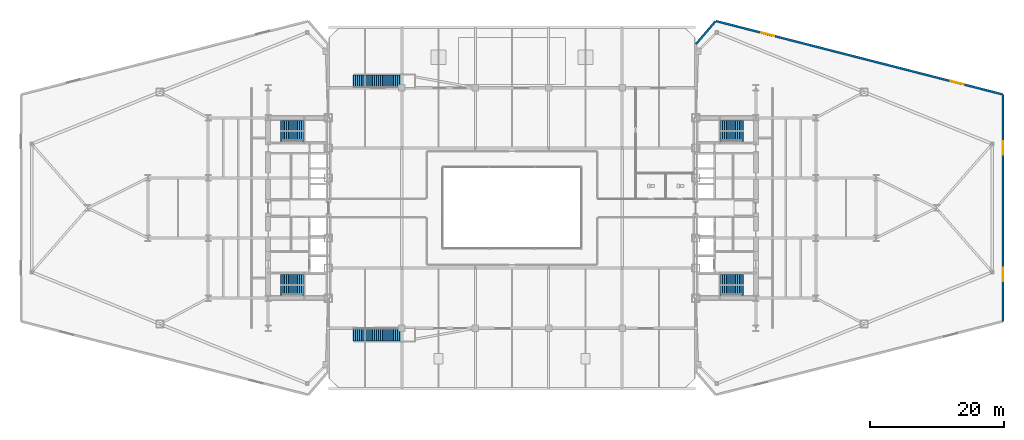
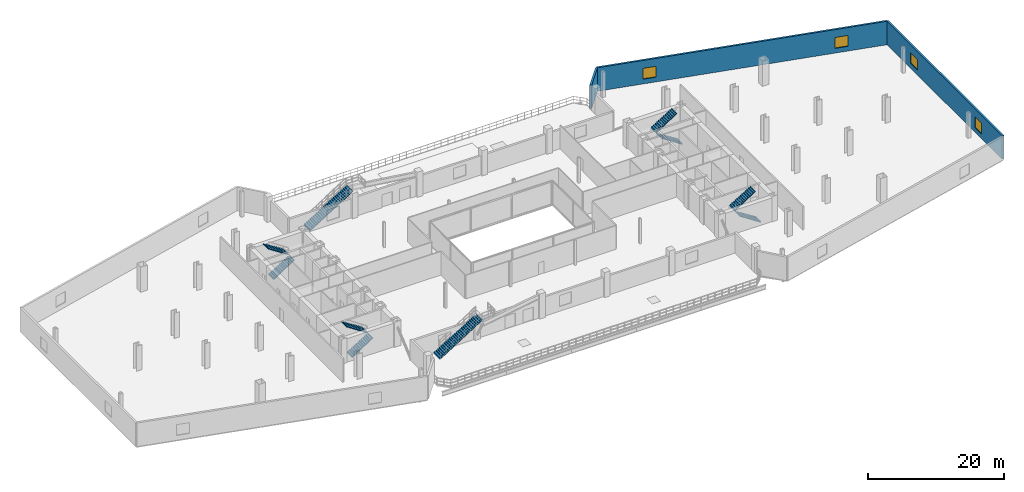
# One storey, part 22 of 27: 10 stair flights, 4 windows, 3 walls, 4 openings, 6 elements without a shape of their own.
"""IFC4 building model written with IfcOpenShell, lengths in metres."""

from ifc_helpers import new_model, si_unit, direction, frame, frame_2d, origin, place, context, subcontext, project, spatial, polyline, rectangle, outline, extrude, source, transform, mapped, material, layer, layer_set, type_object, type_shapes, element, fill, aggregate, save


model = new_model("IFC4")

# Units and contexts
model_context = context("Model", 3, precision=1e-05, world=origin(), true_north=direction((0.0, 1.0)))
body_context = subcontext(model_context, "Body", "Model", "MODEL_VIEW")
ifc_project = project(units=[si_unit("LENGTHUNIT", "METRE"), si_unit("AREAUNIT", "SQUARE_METRE"), si_unit("VOLUMEUNIT", "CUBIC_METRE"), si_unit("PLANEANGLEUNIT", "RADIAN"), si_unit("MASSUNIT", "GRAM", prefix="KILO")], contexts=[model_context])

# Site, building, storey
site_placement = place(None, origin())
site = spatial("IfcSite", under=ifc_project, at=site_placement, CompositionType="ELEMENT")
building_placement = place(site_placement, origin())
building = spatial("IfcBuilding", under=site, at=building_placement, Name="Seokmaru Belvedere", CompositionType="ELEMENT")
storey_placement = place(building_placement, frame((0.0, 0.0, 9.89990234375)))
storey = spatial("IfcBuildingStorey", under=building, at=storey_placement, Name="L02", CompositionType="ELEMENT", Elevation=9.89990234375)

# Wall, openings, windows
ifc_material_1 = material(Name="Concrete C40 (40 MPa)", Category="concrete")
ifc_layer = layer(ifc_material_1, 0.320068359375)
ifc_layer_set = layer_set([ifc_layer], Name="Concrete C40 (40 MPa)")
wall_type = type_object("IfcWallType", Name="Podium Terrace Insulated Wall 320", PredefinedType="SOLIDWALL", material=ifc_layer_set)
wall_1_placement = place(storey_placement, frame((73.5, -16.9599609375, 0.0), z_axis=(0.0, 0.0, 1.0), x_axis=(0.0, 1.0, 0.0)))
wall_1 = element("IfcWall", 1, at=wall_1_placement, inside=storey, type_object=wall_type, Name="L02 Exterior Podium Wall 08", PredefinedType="SOLIDWALL", context=body_context, shape_type="SweptSolid", body=[
    extrude(rectangle(XDim=33.919921875, YDim=0.320068359375, at=frame_2d((16.9599609375, 0.0))), origin(), (0.0, 0.0, 1.0), 4.22021484375),
])
opening_1_placement = place(wall_1_placement, frame((6.0, 0.0, 0.85009765625)))
opening_1 = element("IfcOpeningElement", 2, at=opening_1_placement, cuts=wall_1, Name="Opening WN7", PredefinedType="OPENING", context=body_context, shape_type="SweptSolid", body=[
    extrude(rectangle(XDim=2.0, YDim=1.949951171875, at=frame_2d((1.0, 0.97509765625))), frame((0.0, 0.169921875, 0.0), z_axis=(0.0, -1.0, 0.0), x_axis=(1.0, 0.0, 0.0)), (0.0, 0.0, 1.0), 0.340087890625),
])
opening_2_placement = place(wall_1_placement, frame((24.919921875, 0.0, 0.85009765625)))
opening_2 = element("IfcOpeningElement", 3, at=opening_2_placement, cuts=wall_1, Name="Opening WN7", PredefinedType="OPENING", context=body_context, shape_type="SweptSolid", body=[
    extrude(rectangle(XDim=2.0, YDim=1.949951171875, at=frame_2d((1.0, 0.97509765625))), frame((0.0, 0.169921875, 0.0), z_axis=(0.0, -1.0, 0.0), x_axis=(1.0, 0.0, 0.0)), (0.0, 0.0, 1.0), 0.340087890625),
])
ifc_material_2 = material(Name="Bronze Triple Insulating Glass", Category="glass")
window_type = type_object("IfcWindowType", Name="Podium Wing Corner Window 2000x1950", PartitioningType="SINGLE_PANEL", PredefinedType="WINDOW", material=ifc_material_2)
shared_shape = source(origin(), body_context, "Body", "SweptSolid", [
    extrude(rectangle(XDim=2.0, YDim=1.949951171875, at=frame_2d((1.0, 0.97509765625))), frame((0.0, 0.030029296875, 0.0), z_axis=(0.0, -1.0, 0.0), x_axis=(1.0, 0.0, 0.0)), (0.0, 0.0, 1.0), 0.06005859375),
])
type_shapes(window_type, [shared_shape])
window_1_placement = place(opening_1_placement, origin())
window_1 = element("IfcWindow", 4, at=window_1_placement, inside=storey, type_object=window_type, Name="L02 Podium Gallery Window 7-1", OverallHeight=1.949951171875, OverallWidth=2.0, PartitioningType="SINGLE_PANEL", PredefinedType="WINDOW", context=body_context, shape_type="MappedRepresentation", body=[
    mapped(shared_shape, transform((0.0, 0.0, 0.0), scale=1.0)),
])
fill(opening_1, window_1)
window_2_placement = place(opening_2_placement, origin())
window_2 = element("IfcWindow", 5, at=window_2_placement, inside=storey, type_object=window_type, Name="L02 Podium Gallery Window 7-2", OverallHeight=1.949951171875, OverallWidth=2.0, PartitioningType="SINGLE_PANEL", PredefinedType="WINDOW", context=body_context, shape_type="MappedRepresentation", body=[
    mapped(shared_shape, transform((0.0, 0.0, 0.0), scale=1.0)),
])
fill(opening_2, window_2)

wall_2_placement = place(storey_placement, frame((73.461181640625, 17.010009765625, 0.0), z_axis=(0.0, 0.0, 1.0), x_axis=(-0.968803566014, 0.247829882134, 0.0)))
wall_2 = element("IfcWall", 6, at=wall_2_placement, inside=storey, type_object=wall_type, Name="L02 Exterior Podium Wall 09", PredefinedType="SOLIDWALL", context=body_context, shape_type="SweptSolid", body=[
    extrude(rectangle(XDim=44.304443359375, YDim=0.320068359375, at=frame_2d((22.15234375, 0.0))), origin(), (0.0, 0.0, 1.0), 4.22021484375),
])
opening_3_placement = place(wall_2_placement, frame((6.0, 0.0, 0.85009765625)))
opening_3 = element("IfcOpeningElement", 7, at=opening_3_placement, cuts=wall_2, Name="Opening WN7", PredefinedType="OPENING", context=body_context, shape_type="SweptSolid", body=[
    extrude(rectangle(XDim=2.0, YDim=1.949951171875, at=frame_2d((1.0, 0.97509765625))), frame((0.0, 0.169921875, 0.0), z_axis=(0.0, -1.0, 0.0), x_axis=(1.0, 0.0, 0.0)), (0.0, 0.0, 1.0), 0.340087890625),
])
opening_4_placement = place(wall_2_placement, frame((35.304931640625, 0.0, 0.85009765625)))
opening_4 = element("IfcOpeningElement", 8, at=opening_4_placement, cuts=wall_2, Name="Opening WN7", PredefinedType="OPENING", context=body_context, shape_type="SweptSolid", body=[
    extrude(rectangle(XDim=2.0, YDim=1.949951171875, at=frame_2d((1.0, 0.97509765625))), frame((0.0, 0.169921875, 0.0), z_axis=(0.0, -1.0, 0.0), x_axis=(1.0, 0.0, 0.0)), (0.0, 0.0, 1.0), 0.340087890625),
])
window_3_placement = place(opening_3_placement, origin())
window_3 = element("IfcWindow", 9, at=window_3_placement, inside=storey, type_object=window_type, Name="L02 Podium Gallery Window 8-1", OverallHeight=1.949951171875, OverallWidth=2.0, PartitioningType="SINGLE_PANEL", PredefinedType="WINDOW", context=body_context, shape_type="MappedRepresentation", body=[
    mapped(shared_shape, transform((0.0, 0.0, 0.0), scale=1.0)),
])
fill(opening_3, window_3)
window_4_placement = place(opening_4_placement, origin())
window_4 = element("IfcWindow", 10, at=window_4_placement, inside=storey, type_object=window_type, Name="L02 Podium Gallery Window 8-2", OverallHeight=1.949951171875, OverallWidth=2.0, PartitioningType="SINGLE_PANEL", PredefinedType="WINDOW", context=body_context, shape_type="MappedRepresentation", body=[
    mapped(shared_shape, transform((0.0, 0.0, 0.0), scale=1.0)),
])
fill(opening_4, window_4)

# Wall
wall_3_placement = place(storey_placement, frame((30.47412109375, 27.969482421875, 0.0), z_axis=(0.0, 0.0, 1.0), x_axis=(-0.650862388074, -0.759195726931, 0.0)))
element("IfcWall", 11, at=wall_3_placement, inside=storey, type_object=wall_type, Name="L02 Exterior Podium Wall 10", PredefinedType="SOLIDWALL", context=body_context, shape_type="SweptSolid", body=[
    extrude(rectangle(XDim=4.52978515625, YDim=0.320068359375, at=frame_2d((2.264892578125, 0.0))), origin(), (0.0, 0.0, 1.0), 4.22021484375),
])

# Stair, stair flight
stair_type_1 = type_object("IfcStairType", Name="Cascading Garden Terrace Feature Straight Stair 1800", PredefinedType="STRAIGHT_RUN_STAIR", material=ifc_material_1)
stair_1_placement = place(storey_placement, origin())
stair_1 = element("IfcStair", 12, at=stair_1_placement, inside=storey, type_object=stair_type_1, Name="L02 Cascading Terrace Straight Stair N3", PredefinedType="STRAIGHT_RUN_STAIR")
stair_flight_type_1 = type_object("IfcStairFlightType", Name="Feature Architectural Stair Flight 1800", PredefinedType="STRAIGHT", material=ifc_material_1)
stair_flight_1_placement = place(storey_placement, frame((-23.699951171875, 19.02001953125, 0.0), z_axis=(0.0, 0.0, 1.0), x_axis=(1.0, 0.0, 0.0)))
stair_flight_1 = element("IfcStairFlight", 13, at=stair_flight_1_placement, type_object=stair_flight_type_1, Name="ST-T4 flight 1", NumberOfRisers=26, NumberOfTreads=25, PredefinedType="STRAIGHT", RiserHeight=0.173076923, TreadLength=0.285, context=body_context, shape_type="SweptSolid", body=[
    extrude(outline(polyline([(-0.080078125, 0.0), (0.0, 0.173095703125), (0.284912109375, 0.173095703125), (0.284912109375, 0.34619140625), (0.570068359375, 0.34619140625), (0.570068359375, 0.519287109375), (0.85498046875, 0.519287109375), (0.85498046875, 0.6923828125), (1.139892578125, 0.6923828125), (1.139892578125, 0.865478515625), (1.425048828125, 0.865478515625), (1.425048828125, 1.03857421875), (1.7099609375, 1.03857421875), (1.7099609375, 1.21142578125), (1.9951171875, 1.21142578125), (1.9951171875, 1.384521484375), (2.280029296875, 1.384521484375), (2.280029296875, 1.5576171875), (2.56494140625, 1.5576171875), (2.56494140625, 1.730712890625), (2.85009765625, 1.730712890625), (2.85009765625, 1.90380859375), (3.135009765625, 1.90380859375), (3.135009765625, 2.076904296875), (3.419921875, 2.076904296875), (3.419921875, 2.25), (3.705078125, 2.25), (3.705078125, 2.423095703125), (3.989990234375, 2.423095703125), (3.989990234375, 2.59619140625), (4.27490234375, 2.59619140625), (4.27490234375, 2.769287109375), (4.56005859375, 2.769287109375), (4.56005859375, 2.9423828125), (4.844970703125, 2.9423828125), (4.844970703125, 3.115478515625), (5.1298828125, 3.115478515625), (5.1298828125, 3.28857421875), (5.4150390625, 3.28857421875), (5.4150390625, 3.46142578125), (5.699951171875, 3.46142578125), (5.699951171875, 3.634521484375), (5.985107421875, 3.634521484375), (5.985107421875, 3.8076171875), (6.27001953125, 3.8076171875), (6.27001953125, 3.980712890625), (6.554931640625, 3.980712890625), (6.554931640625, 4.15380859375), (6.840087890625, 4.15380859375), (6.840087890625, 4.326904296875), (7.125, 4.326904296875), (7.125, 4.5), (7.205078125, 4.5), (7.205078125, 4.31005859375), (7.125, 4.31005859375), (0.0, -0.159912109375), (-0.080078125, -0.159912109375), (-0.080078125, 0.0)])), frame((0.0, 0.89990234375, 0.0), z_axis=(0.0, -1.0, 0.0), x_axis=(1.0, 0.0, 0.0)), (0.0, 0.0, 1.0), 1.800048828125),
])
aggregate(stair_1, [stair_flight_1])

stair_2_placement = place(storey_placement, origin())
stair_2 = element("IfcStair", 14, at=stair_2_placement, inside=storey, type_object=stair_type_1, Name="L02 Cascading Terrace Straight Stair S2", PredefinedType="STRAIGHT_RUN_STAIR")
stair_flight_2_placement = place(storey_placement, frame((-23.699951171875, -19.02001953125, 0.0), z_axis=(0.0, 0.0, 1.0), x_axis=(1.0, 0.0, 0.0)))
stair_flight_2 = element("IfcStairFlight", 15, at=stair_flight_2_placement, type_object=stair_flight_type_1, Name="ST-T5 flight 1", NumberOfRisers=26, NumberOfTreads=25, PredefinedType="STRAIGHT", RiserHeight=0.173076923, TreadLength=0.285, context=body_context, shape_type="SweptSolid", body=[
    extrude(outline(polyline([(-0.080078125, 0.0), (0.0, 0.173095703125), (0.284912109375, 0.173095703125), (0.284912109375, 0.34619140625), (0.570068359375, 0.34619140625), (0.570068359375, 0.519287109375), (0.85498046875, 0.519287109375), (0.85498046875, 0.6923828125), (1.139892578125, 0.6923828125), (1.139892578125, 0.865478515625), (1.425048828125, 0.865478515625), (1.425048828125, 1.03857421875), (1.7099609375, 1.03857421875), (1.7099609375, 1.21142578125), (1.9951171875, 1.21142578125), (1.9951171875, 1.384521484375), (2.280029296875, 1.384521484375), (2.280029296875, 1.5576171875), (2.56494140625, 1.5576171875), (2.56494140625, 1.730712890625), (2.85009765625, 1.730712890625), (2.85009765625, 1.90380859375), (3.135009765625, 1.90380859375), (3.135009765625, 2.076904296875), (3.419921875, 2.076904296875), (3.419921875, 2.25), (3.705078125, 2.25), (3.705078125, 2.423095703125), (3.989990234375, 2.423095703125), (3.989990234375, 2.59619140625), (4.27490234375, 2.59619140625), (4.27490234375, 2.769287109375), (4.56005859375, 2.769287109375), (4.56005859375, 2.9423828125), (4.844970703125, 2.9423828125), (4.844970703125, 3.115478515625), (5.1298828125, 3.115478515625), (5.1298828125, 3.28857421875), (5.4150390625, 3.28857421875), (5.4150390625, 3.46142578125), (5.699951171875, 3.46142578125), (5.699951171875, 3.634521484375), (5.985107421875, 3.634521484375), (5.985107421875, 3.8076171875), (6.27001953125, 3.8076171875), (6.27001953125, 3.980712890625), (6.554931640625, 3.980712890625), (6.554931640625, 4.15380859375), (6.840087890625, 4.15380859375), (6.840087890625, 4.326904296875), (7.125, 4.326904296875), (7.125, 4.5), (7.205078125, 4.5), (7.205078125, 4.31005859375), (7.125, 4.31005859375), (0.0, -0.159912109375), (-0.080078125, -0.159912109375), (-0.080078125, 0.0)])), frame((0.0, 0.89990234375, 0.0), z_axis=(0.0, -1.0, 0.0), x_axis=(1.0, 0.0, 0.0)), (0.0, 0.0, 1.0), 1.800048828125),
])
aggregate(stair_2, [stair_flight_2])

# Stair, stair flights
stair_type_2 = type_object("IfcStairType", Name="Cascading Podium Core Dog-Leg Stair 4500", PredefinedType="TWO_STRAIGHT_RUN_STAIR", material=ifc_material_1)
stair_3_placement = place(storey_placement, origin())
stair_3 = element("IfcStair", 16, at=stair_3_placement, inside=storey, type_object=stair_type_2, Name="L02 Special Escape Stair ST-W1", PredefinedType="TWO_STRAIGHT_RUN_STAIR")
stair_flight_type_2 = type_object("IfcStairFlightType", Name="Reinforced Concrete Stair Flight 1500", PredefinedType="STRAIGHT", material=ifc_material_1)
stair_flight_3_placement = place(storey_placement, frame((-34.60009765625, -12.35009765625, 0.0), z_axis=(0.0, 0.0, 1.0), x_axis=(1.0, 0.0, 0.0)))
stair_flight_3 = element("IfcStairFlight", 17, at=stair_flight_3_placement, type_object=stair_flight_type_2, Name="ST-W1 flight 1", NumberOfRisers=13, NumberOfTreads=12, PredefinedType="STRAIGHT", RiserHeight=0.173076923, TreadLength=0.28, context=body_context, shape_type="SweptSolid", body=[
    extrude(outline(polyline([(-0.080078125, 0.0), (0.0, 0.173095703125), (0.280029296875, 0.173095703125), (0.280029296875, 0.34619140625), (0.56005859375, 0.34619140625), (0.56005859375, 0.519287109375), (0.840087890625, 0.519287109375), (0.840087890625, 0.6923828125), (1.1201171875, 0.6923828125), (1.1201171875, 0.865478515625), (1.39990234375, 0.865478515625), (1.39990234375, 1.03857421875), (1.679931640625, 1.03857421875), (1.679931640625, 1.21142578125), (1.9599609375, 1.21142578125), (1.9599609375, 1.384521484375), (2.239990234375, 1.384521484375), (2.239990234375, 1.5576171875), (2.52001953125, 1.5576171875), (2.52001953125, 1.730712890625), (2.800048828125, 1.730712890625), (2.800048828125, 1.90380859375), (3.080078125, 1.90380859375), (3.080078125, 2.076904296875), (3.360107421875, 2.076904296875), (3.360107421875, 2.25), (3.43994140625, 2.25), (3.43994140625, 2.06005859375), (3.360107421875, 2.06005859375), (0.0, -0.159912109375), (-0.080078125, -0.159912109375), (-0.080078125, 0.0)])), frame((0.0, 0.75, 0.0), z_axis=(0.0, -1.0, 0.0), x_axis=(1.0, 0.0, 0.0)), (0.0, 0.0, 1.0), 1.5),
])
stair_flight_4_placement = place(storey_placement, frame((-31.239990234375, -10.7099609375, 2.25), z_axis=(0.0, 0.0, 1.0), x_axis=(-1.0, 0.0, 0.0)))
stair_flight_4 = element("IfcStairFlight", 18, at=stair_flight_4_placement, type_object=stair_flight_type_2, Name="ST-W1 flight 2", NumberOfRisers=13, NumberOfTreads=12, PredefinedType="STRAIGHT", RiserHeight=0.173076923, TreadLength=0.28, context=body_context, shape_type="SweptSolid", body=[
    extrude(outline(polyline([(-0.080078125, 0.0), (0.0, 0.173095703125), (0.280029296875, 0.173095703125), (0.280029296875, 0.34619140625), (0.56005859375, 0.34619140625), (0.56005859375, 0.519287109375), (0.840087890625, 0.519287109375), (0.840087890625, 0.6923828125), (1.1201171875, 0.6923828125), (1.1201171875, 0.865478515625), (1.39990234375, 0.865478515625), (1.39990234375, 1.03857421875), (1.679931640625, 1.03857421875), (1.679931640625, 1.21142578125), (1.9599609375, 1.21142578125), (1.9599609375, 1.384521484375), (2.239990234375, 1.384521484375), (2.239990234375, 1.5576171875), (2.52001953125, 1.5576171875), (2.52001953125, 1.730712890625), (2.800048828125, 1.730712890625), (2.800048828125, 1.90380859375), (3.080078125, 1.90380859375), (3.080078125, 2.076904296875), (3.360107421875, 2.076904296875), (3.360107421875, 2.25), (3.43994140625, 2.25), (3.43994140625, 2.06005859375), (3.360107421875, 2.06005859375), (0.0, -0.159912109375), (-0.080078125, -0.159912109375), (-0.080078125, 0.0)])), frame((0.0, 0.75, 0.0), z_axis=(0.0, -1.0, 0.0), x_axis=(1.0, 0.0, 0.0)), (0.0, 0.0, 1.0), 1.5),
])
aggregate(stair_3, [stair_flight_3, stair_flight_4])

stair_4_placement = place(storey_placement, origin())
stair_4 = element("IfcStair", 19, at=stair_4_placement, inside=storey, type_object=stair_type_2, Name="L02 Special Escape Stair ST-W2", PredefinedType="TWO_STRAIGHT_RUN_STAIR")
stair_flight_5_placement = place(storey_placement, frame((-34.60009765625, 10.7099609375, 0.0), z_axis=(0.0, 0.0, 1.0), x_axis=(1.0, 0.0, 0.0)))
stair_flight_5 = element("IfcStairFlight", 20, at=stair_flight_5_placement, type_object=stair_flight_type_2, Name="ST-W2 flight 1", NumberOfRisers=13, NumberOfTreads=12, PredefinedType="STRAIGHT", RiserHeight=0.173076923, TreadLength=0.28, context=body_context, shape_type="SweptSolid", body=[
    extrude(outline(polyline([(-0.080078125, 0.0), (0.0, 0.173095703125), (0.280029296875, 0.173095703125), (0.280029296875, 0.34619140625), (0.56005859375, 0.34619140625), (0.56005859375, 0.519287109375), (0.840087890625, 0.519287109375), (0.840087890625, 0.6923828125), (1.1201171875, 0.6923828125), (1.1201171875, 0.865478515625), (1.39990234375, 0.865478515625), (1.39990234375, 1.03857421875), (1.679931640625, 1.03857421875), (1.679931640625, 1.21142578125), (1.9599609375, 1.21142578125), (1.9599609375, 1.384521484375), (2.239990234375, 1.384521484375), (2.239990234375, 1.5576171875), (2.52001953125, 1.5576171875), (2.52001953125, 1.730712890625), (2.800048828125, 1.730712890625), (2.800048828125, 1.90380859375), (3.080078125, 1.90380859375), (3.080078125, 2.076904296875), (3.360107421875, 2.076904296875), (3.360107421875, 2.25), (3.43994140625, 2.25), (3.43994140625, 2.06005859375), (3.360107421875, 2.06005859375), (0.0, -0.159912109375), (-0.080078125, -0.159912109375), (-0.080078125, 0.0)])), frame((0.0, 0.75, 0.0), z_axis=(0.0, -1.0, 0.0), x_axis=(1.0, 0.0, 0.0)), (0.0, 0.0, 1.0), 1.5),
])
stair_flight_6_placement = place(storey_placement, frame((-31.239990234375, 12.35009765625, 2.25), z_axis=(0.0, 0.0, 1.0), x_axis=(-1.0, 0.0, 0.0)))
stair_flight_6 = element("IfcStairFlight", 21, at=stair_flight_6_placement, type_object=stair_flight_type_2, Name="ST-W2 flight 2", NumberOfRisers=13, NumberOfTreads=12, PredefinedType="STRAIGHT", RiserHeight=0.173076923, TreadLength=0.28, context=body_context, shape_type="SweptSolid", body=[
    extrude(outline(polyline([(-0.080078125, 0.0), (0.0, 0.173095703125), (0.280029296875, 0.173095703125), (0.280029296875, 0.34619140625), (0.56005859375, 0.34619140625), (0.56005859375, 0.519287109375), (0.840087890625, 0.519287109375), (0.840087890625, 0.6923828125), (1.1201171875, 0.6923828125), (1.1201171875, 0.865478515625), (1.39990234375, 0.865478515625), (1.39990234375, 1.03857421875), (1.679931640625, 1.03857421875), (1.679931640625, 1.21142578125), (1.9599609375, 1.21142578125), (1.9599609375, 1.384521484375), (2.239990234375, 1.384521484375), (2.239990234375, 1.5576171875), (2.52001953125, 1.5576171875), (2.52001953125, 1.730712890625), (2.800048828125, 1.730712890625), (2.800048828125, 1.90380859375), (3.080078125, 1.90380859375), (3.080078125, 2.076904296875), (3.360107421875, 2.076904296875), (3.360107421875, 2.25), (3.43994140625, 2.25), (3.43994140625, 2.06005859375), (3.360107421875, 2.06005859375), (0.0, -0.159912109375), (-0.080078125, -0.159912109375), (-0.080078125, 0.0)])), frame((0.0, 0.75, 0.0), z_axis=(0.0, -1.0, 0.0), x_axis=(1.0, 0.0, 0.0)), (0.0, 0.0, 1.0), 1.5),
])
aggregate(stair_4, [stair_flight_5, stair_flight_6])

stair_5_placement = place(storey_placement, origin())
stair_5 = element("IfcStair", 22, at=stair_5_placement, inside=storey, type_object=stair_type_2, Name="L02 Special Escape Stair ST-E1", PredefinedType="TWO_STRAIGHT_RUN_STAIR")
stair_flight_7_placement = place(storey_placement, frame((34.60009765625, -12.35009765625, 0.0), z_axis=(0.0, 0.0, 1.0), x_axis=(-1.0, 0.0, 0.0)))
stair_flight_7 = element("IfcStairFlight", 23, at=stair_flight_7_placement, type_object=stair_flight_type_2, Name="ST-E1 flight 1", NumberOfRisers=13, NumberOfTreads=12, PredefinedType="STRAIGHT", RiserHeight=0.173076923, TreadLength=0.28, context=body_context, shape_type="SweptSolid", body=[
    extrude(outline(polyline([(-0.080078125, 0.0), (0.0, 0.173095703125), (0.280029296875, 0.173095703125), (0.280029296875, 0.34619140625), (0.56005859375, 0.34619140625), (0.56005859375, 0.519287109375), (0.840087890625, 0.519287109375), (0.840087890625, 0.6923828125), (1.1201171875, 0.6923828125), (1.1201171875, 0.865478515625), (1.39990234375, 0.865478515625), (1.39990234375, 1.03857421875), (1.679931640625, 1.03857421875), (1.679931640625, 1.21142578125), (1.9599609375, 1.21142578125), (1.9599609375, 1.384521484375), (2.239990234375, 1.384521484375), (2.239990234375, 1.5576171875), (2.52001953125, 1.5576171875), (2.52001953125, 1.730712890625), (2.800048828125, 1.730712890625), (2.800048828125, 1.90380859375), (3.080078125, 1.90380859375), (3.080078125, 2.076904296875), (3.360107421875, 2.076904296875), (3.360107421875, 2.25), (3.43994140625, 2.25), (3.43994140625, 2.06005859375), (3.360107421875, 2.06005859375), (0.0, -0.159912109375), (-0.080078125, -0.159912109375), (-0.080078125, 0.0)])), frame((0.0, 0.75, 0.0), z_axis=(0.0, -1.0, 0.0), x_axis=(1.0, 0.0, 0.0)), (0.0, 0.0, 1.0), 1.5),
])
stair_flight_8_placement = place(storey_placement, frame((31.239990234375, -10.7099609375, 2.25), z_axis=(0.0, 0.0, 1.0), x_axis=(1.0, 0.0, 0.0)))
stair_flight_8 = element("IfcStairFlight", 24, at=stair_flight_8_placement, type_object=stair_flight_type_2, Name="ST-E1 flight 2", NumberOfRisers=13, NumberOfTreads=12, PredefinedType="STRAIGHT", RiserHeight=0.173076923, TreadLength=0.28, context=body_context, shape_type="SweptSolid", body=[
    extrude(outline(polyline([(-0.080078125, 0.0), (0.0, 0.173095703125), (0.280029296875, 0.173095703125), (0.280029296875, 0.34619140625), (0.56005859375, 0.34619140625), (0.56005859375, 0.519287109375), (0.840087890625, 0.519287109375), (0.840087890625, 0.6923828125), (1.1201171875, 0.6923828125), (1.1201171875, 0.865478515625), (1.39990234375, 0.865478515625), (1.39990234375, 1.03857421875), (1.679931640625, 1.03857421875), (1.679931640625, 1.21142578125), (1.9599609375, 1.21142578125), (1.9599609375, 1.384521484375), (2.239990234375, 1.384521484375), (2.239990234375, 1.5576171875), (2.52001953125, 1.5576171875), (2.52001953125, 1.730712890625), (2.800048828125, 1.730712890625), (2.800048828125, 1.90380859375), (3.080078125, 1.90380859375), (3.080078125, 2.076904296875), (3.360107421875, 2.076904296875), (3.360107421875, 2.25), (3.43994140625, 2.25), (3.43994140625, 2.06005859375), (3.360107421875, 2.06005859375), (0.0, -0.159912109375), (-0.080078125, -0.159912109375), (-0.080078125, 0.0)])), frame((0.0, 0.75, 0.0), z_axis=(0.0, -1.0, 0.0), x_axis=(1.0, 0.0, 0.0)), (0.0, 0.0, 1.0), 1.5),
])
aggregate(stair_5, [stair_flight_7, stair_flight_8])

stair_6_placement = place(storey_placement, origin())
stair_6 = element("IfcStair", 25, at=stair_6_placement, inside=storey, type_object=stair_type_2, Name="L02 Special Escape Stair ST-E2", PredefinedType="TWO_STRAIGHT_RUN_STAIR")
stair_flight_9_placement = place(storey_placement, frame((34.60009765625, 10.7099609375, 0.0), z_axis=(0.0, 0.0, 1.0), x_axis=(-1.0, 0.0, 0.0)))
stair_flight_9 = element("IfcStairFlight", 26, at=stair_flight_9_placement, type_object=stair_flight_type_2, Name="ST-E2 flight 1", NumberOfRisers=13, NumberOfTreads=12, PredefinedType="STRAIGHT", RiserHeight=0.173076923, TreadLength=0.28, context=body_context, shape_type="SweptSolid", body=[
    extrude(outline(polyline([(-0.080078125, 0.0), (0.0, 0.173095703125), (0.280029296875, 0.173095703125), (0.280029296875, 0.34619140625), (0.56005859375, 0.34619140625), (0.56005859375, 0.519287109375), (0.840087890625, 0.519287109375), (0.840087890625, 0.6923828125), (1.1201171875, 0.6923828125), (1.1201171875, 0.865478515625), (1.39990234375, 0.865478515625), (1.39990234375, 1.03857421875), (1.679931640625, 1.03857421875), (1.679931640625, 1.21142578125), (1.9599609375, 1.21142578125), (1.9599609375, 1.384521484375), (2.239990234375, 1.384521484375), (2.239990234375, 1.5576171875), (2.52001953125, 1.5576171875), (2.52001953125, 1.730712890625), (2.800048828125, 1.730712890625), (2.800048828125, 1.90380859375), (3.080078125, 1.90380859375), (3.080078125, 2.076904296875), (3.360107421875, 2.076904296875), (3.360107421875, 2.25), (3.43994140625, 2.25), (3.43994140625, 2.06005859375), (3.360107421875, 2.06005859375), (0.0, -0.159912109375), (-0.080078125, -0.159912109375), (-0.080078125, 0.0)])), frame((0.0, 0.75, 0.0), z_axis=(0.0, -1.0, 0.0), x_axis=(1.0, 0.0, 0.0)), (0.0, 0.0, 1.0), 1.5),
])
stair_flight_10_placement = place(storey_placement, frame((31.239990234375, 12.35009765625, 2.25), z_axis=(0.0, 0.0, 1.0), x_axis=(1.0, 0.0, 0.0)))
stair_flight_10 = element("IfcStairFlight", 27, at=stair_flight_10_placement, type_object=stair_flight_type_2, Name="ST-E2 flight 2", NumberOfRisers=13, NumberOfTreads=12, PredefinedType="STRAIGHT", RiserHeight=0.173076923, TreadLength=0.28, context=body_context, shape_type="SweptSolid", body=[
    extrude(outline(polyline([(-0.080078125, 0.0), (0.0, 0.173095703125), (0.280029296875, 0.173095703125), (0.280029296875, 0.34619140625), (0.56005859375, 0.34619140625), (0.56005859375, 0.519287109375), (0.840087890625, 0.519287109375), (0.840087890625, 0.6923828125), (1.1201171875, 0.6923828125), (1.1201171875, 0.865478515625), (1.39990234375, 0.865478515625), (1.39990234375, 1.03857421875), (1.679931640625, 1.03857421875), (1.679931640625, 1.21142578125), (1.9599609375, 1.21142578125), (1.9599609375, 1.384521484375), (2.239990234375, 1.384521484375), (2.239990234375, 1.5576171875), (2.52001953125, 1.5576171875), (2.52001953125, 1.730712890625), (2.800048828125, 1.730712890625), (2.800048828125, 1.90380859375), (3.080078125, 1.90380859375), (3.080078125, 2.076904296875), (3.360107421875, 2.076904296875), (3.360107421875, 2.25), (3.43994140625, 2.25), (3.43994140625, 2.06005859375), (3.360107421875, 2.06005859375), (0.0, -0.159912109375), (-0.080078125, -0.159912109375), (-0.080078125, 0.0)])), frame((0.0, 0.75, 0.0), z_axis=(0.0, -1.0, 0.0), x_axis=(1.0, 0.0, 0.0)), (0.0, 0.0, 1.0), 1.5),
])
aggregate(stair_6, [stair_flight_9, stair_flight_10])

save(model, "model.ifc")
